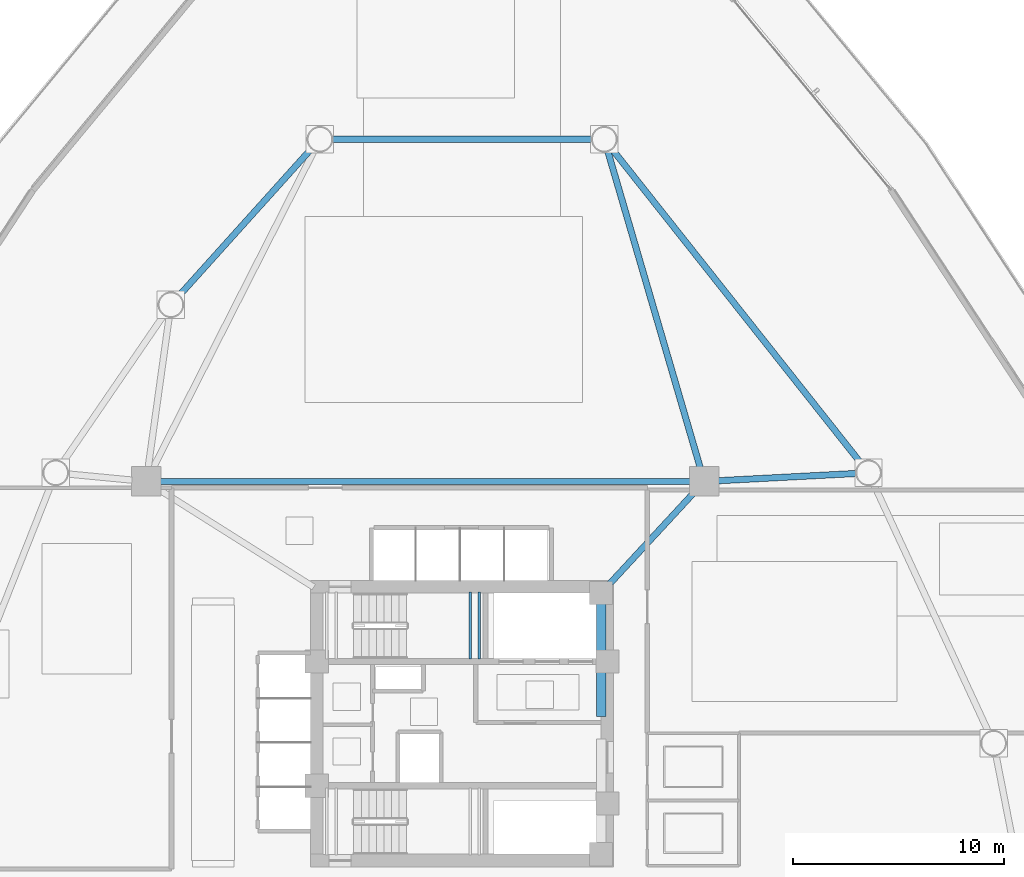
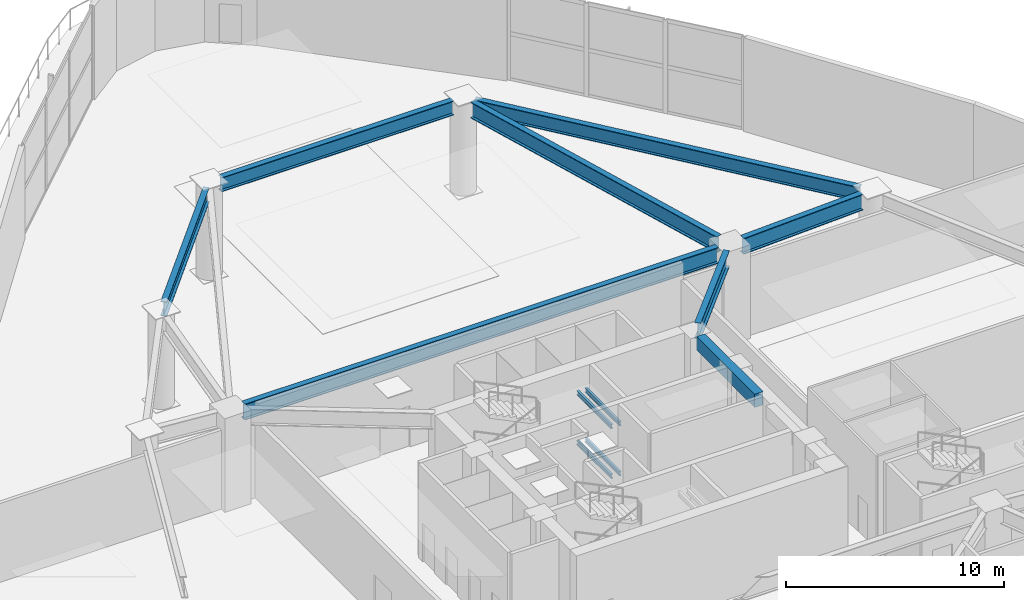
# One storey, part 6 of 26: 12 beams.
"""IFC4 building model written with IfcOpenShell, lengths in metres."""

from ifc_helpers import new_model, si_unit, direction, frame, origin, origin_2d, place, context, subcontext, project, spatial, rectangle, i_section, extrude, material, material_profile, profile_set, type_object, element, save


model = new_model("IFC4")

# Units and contexts
model_context = context("Model", 3, precision=1e-05, world=origin(), true_north=direction((0.0, 1.0)))
body_context = subcontext(model_context, "Body", "Model", "MODEL_VIEW")
ifc_project = project(units=[si_unit("LENGTHUNIT", "METRE"), si_unit("AREAUNIT", "SQUARE_METRE"), si_unit("VOLUMEUNIT", "CUBIC_METRE"), si_unit("PLANEANGLEUNIT", "RADIAN"), si_unit("MASSUNIT", "GRAM", prefix="KILO")], contexts=[model_context])

# Site, building, storey
site_placement = place(None, origin())
site = spatial("IfcSite", under=ifc_project, at=site_placement, CompositionType="ELEMENT")
building_placement = place(site_placement, origin())
building = spatial("IfcBuilding", under=site, at=building_placement, Name="Tavelor Broadcast Tower", CompositionType="ELEMENT")
storey_placement = place(building_placement, frame((0.0, 0.0, 5.800048828125)))
storey = spatial("IfcBuildingStorey", under=building, at=storey_placement, Name="L01", CompositionType="ELEMENT", Elevation=5.800048828125)

# Beams
ifc_material_1 = material(Name="Concrete C40/50", Category="concrete")
ifc_material_profile_1 = material_profile(ifc_material_1, rectangle(XDim=0.449951171875, YDim=0.75, at=origin_2d()), Name="RC 450x750")
ifc_profile_set_1 = profile_set([ifc_material_profile_1], Name="Concrete C40/50")
beam_type_1 = type_object("IfcBeamType", Name="Basement Core Trim Beam 450x750", PredefinedType="BEAM", material=ifc_profile_set_1)
beam_1_placement = place(storey_placement, frame((56.60009765625, 45.327880859375, 4.875), z_axis=(0.0, 1.0, 0.0), x_axis=(-1.0, 0.0, 0.0)))
element("IfcBeam", 1, at=beam_1_placement, inside=storey, type_object=beam_type_1, Name="L01 Core East-N Tie Girder", PredefinedType="BEAM", context=body_context, shape_type="SweptSolid", body=[
    extrude(rectangle(XDim=0.449951171875, YDim=0.75, at=origin_2d()), origin(), (0.0, 0.0, 1.0), 5.34423828125),
])
ifc_material_2 = material(Name="Steel S355", Category="steel")
ifc_material_profile_2 = material_profile(ifc_material_2, i_section(OverallWidth=0.300048828125, OverallDepth=0.800048828125, WebThickness=0.017578125, FlangeThickness=0.032958984375, at=origin_2d()), Name="HEB 800")
ifc_profile_set_2 = profile_set([ifc_material_profile_2], Name="Steel S355")
beam_type_2 = type_object("IfcBeamType", Name="Podium Spandrel Beam HEB800", PredefinedType="SPANDREL", material=ifc_profile_set_2)
beam_2_placement = place(storey_placement, frame((42.85888671875, 72.320068359375, 4.849853515625), z_axis=(-0.669215412935, -0.74306845653, 0.0), x_axis=(0.74306845653, -0.669215412935, 0.0)))
element("IfcBeam", 2, at=beam_2_placement, inside=storey, type_object=beam_type_2, Name="L01 Podium Spandrel Girder 1", PredefinedType="SPANDREL", context=body_context, shape_type="SweptSolid", body=[
    extrude(i_section(OverallWidth=0.300048828125, OverallDepth=0.800048828125, WebThickness=0.017578125, FlangeThickness=0.032958984375, at=origin_2d()), origin(), (0.0, 0.0, 1.0), 9.414794921875),
])
beam_3_placement = place(storey_placement, frame((68.940673828125, 57.36572265625, 4.849853515625), z_axis=(-0.620945854653, 0.783853459257, 0.0), x_axis=(-0.783853459257, -0.620945854653, 0.0)))
element("IfcBeam", 3, at=beam_3_placement, inside=storey, type_object=beam_type_2, Name="L01 Podium Spandrel Girder 11", PredefinedType="SPANDREL", context=body_context, shape_type="SweptSolid", body=[
    extrude(i_section(OverallWidth=0.300048828125, OverallDepth=0.800048828125, WebThickness=0.017578125, FlangeThickness=0.032958984375, at=origin_2d()), origin(), (0.0, 0.0, 1.0), 19.0478515625),
])
beam_4_placement = place(storey_placement, frame((56.1728515625, 72.7509765625, 4.849853515625), z_axis=(-1.0, 0.0, 0.0), x_axis=(0.0, -1.0, 0.0)))
element("IfcBeam", 4, at=beam_4_placement, inside=storey, type_object=beam_type_2, Name="L01 Podium Spandrel Girder 12", PredefinedType="SPANDREL", context=body_context, shape_type="SweptSolid", body=[
    extrude(i_section(OverallWidth=0.300048828125, OverallDepth=0.800048828125, WebThickness=0.017578125, FlangeThickness=0.032958984375, at=origin_2d()), origin(), (0.0, 0.0, 1.0), 12.345703125),
])
ifc_material_profile_3 = material_profile(ifc_material_2, i_section(OverallWidth=0.1201171875, OverallDepth=0.239990234375, WebThickness=0.006103515625, FlangeThickness=0.009765625, at=origin_2d()), Name="IPE 240")
ifc_profile_set_3 = profile_set([ifc_material_profile_3], Name="Steel S355")
beam_type_3 = type_object("IfcBeamType", Name="Stairwell Landing Support Trimmer Beam IPE240", PredefinedType="BEAM", material=ifc_profile_set_3)
for number, where, z_axis, x_axis, name in (
    (5, (50.385009765625, 48.06005859375, 1.0849609375), (0.0, 1.0, 0.0), (-1.0, 0.0, 0.0), "L01 Stair Landing Support Beam 11"),
    (6, (50.824951171875, 48.06005859375, 1.0849609375), (0.0, 1.0, 0.0), (-1.0, 0.0, 0.0), "L01 Stair Landing Support Beam 12"),
    (7, (50.385009765625, 48.06005859375, 3.885009765625), (0.0, 1.0, 0.0), (-1.0, 0.0, 0.0), "L01 Stair Landing Support Beam 15"),
    (8, (50.824951171875, 48.06005859375, 3.885009765625), (0.0, 1.0, 0.0), (-1.0, 0.0, 0.0), "L01 Stair Landing Support Beam 16"),
):
    element("IfcBeam", number, at=place(storey_placement, frame(where, z_axis=z_axis, x_axis=x_axis)), inside=storey, type_object=beam_type_3, Name=name, PredefinedType="BEAM", context=body_context, shape_type="SweptSolid", body=[
        extrude(i_section(OverallWidth=0.1201171875, OverallDepth=0.239990234375, WebThickness=0.006103515625, FlangeThickness=0.009765625, at=origin_2d()), origin(), (0.0, 0.0, 1.0), 3.179931640625),
    ])
ifc_material_3 = material(Name="Steel S460", Category="steel")
ifc_material_profile_4 = material_profile(ifc_material_3, i_section(OverallWidth=0.300048828125, OverallDepth=0.89990234375, WebThickness=0.0185546875, FlangeThickness=0.034912109375, at=origin_2d()), Name="HEB 900")
ifc_profile_set_4 = profile_set([ifc_material_profile_4], Name="Steel S460")
beam_type_4 = type_object("IfcBeamType", Name="Studio Long-Span Girder HEB900", PredefinedType="BEAM", material=ifc_profile_set_4)
beam_5_placement = place(storey_placement, frame((60.820068359375, 56.5, 4.800048828125), z_axis=(-1.0, 0.0, 0.0), x_axis=(0.0, -1.0, 0.0)))
element("IfcBeam", 9, at=beam_5_placement, inside=storey, type_object=beam_type_4, Name="L01 Studio Ring Girder 3", PredefinedType="BEAM", context=body_context, shape_type="SweptSolid", body=[
    extrude(i_section(OverallWidth=0.300048828125, OverallDepth=0.89990234375, WebThickness=0.0185546875, FlangeThickness=0.034912109375, at=origin_2d()), origin(), (0.0, 0.0, 1.0), 25.14013671875),
])
beam_6_placement = place(storey_placement, frame((61.038330078125, 56.000732421875, 4.800048828125), z_axis=(-0.678838365395, -0.734287732205, 0.0), x_axis=(0.734287732205, -0.678838365395, 0.0)))
element("IfcBeam", 10, at=beam_6_placement, inside=storey, type_object=beam_type_4, Name="L01 Core Tie Girder 3", PredefinedType="BEAM", context=body_context, shape_type="SweptSolid", body=[
    extrude(i_section(OverallWidth=0.300048828125, OverallDepth=0.89990234375, WebThickness=0.0185546875, FlangeThickness=0.034912109375, at=origin_2d()), origin(), (0.0, 0.0, 1.0), 6.010009765625),
])
beam_7_placement = place(storey_placement, frame((62.17919921875, 56.535888671875, 4.800048828125), z_axis=(0.998614739388, 0.052617509218, 0.0), x_axis=(-0.052617509218, 0.998614739388, 0.0)))
element("IfcBeam", 11, at=beam_7_placement, inside=storey, type_object=beam_type_4, Name="L01 Clear-Span Studio Girder 11", PredefinedType="BEAM", context=body_context, shape_type="SweptSolid", body=[
    extrude(i_section(OverallWidth=0.300048828125, OverallDepth=0.89990234375, WebThickness=0.0185546875, FlangeThickness=0.034912109375, at=origin_2d()), origin(), (0.0, 0.0, 1.0), 6.551513671875),
])
beam_8_placement = place(storey_placement, frame((61.309326171875, 57.152587890625, 4.800048828125), z_axis=(-0.280403801571, 0.959882132381, 0.0), x_axis=(-0.959882132381, -0.280403801571, 0.0)))
element("IfcBeam", 12, at=beam_8_placement, inside=storey, type_object=beam_type_4, Name="L01 Clear-Span Studio Girder 12", PredefinedType="BEAM", context=body_context, shape_type="SweptSolid", body=[
    extrude(i_section(OverallWidth=0.300048828125, OverallDepth=0.89990234375, WebThickness=0.0185546875, FlangeThickness=0.034912109375, at=origin_2d()), origin(), (0.0, 0.0, 1.0), 15.67041015625),
])

save(model, "model.ifc")
